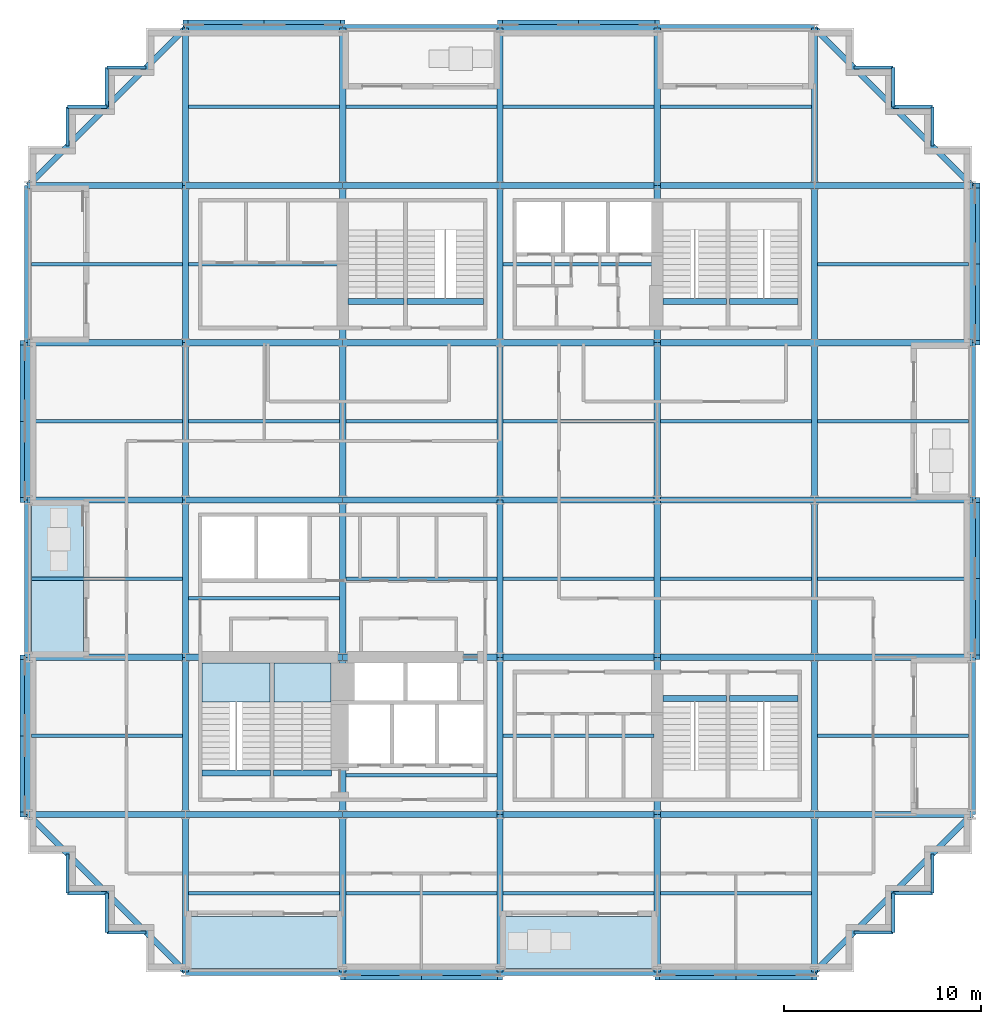
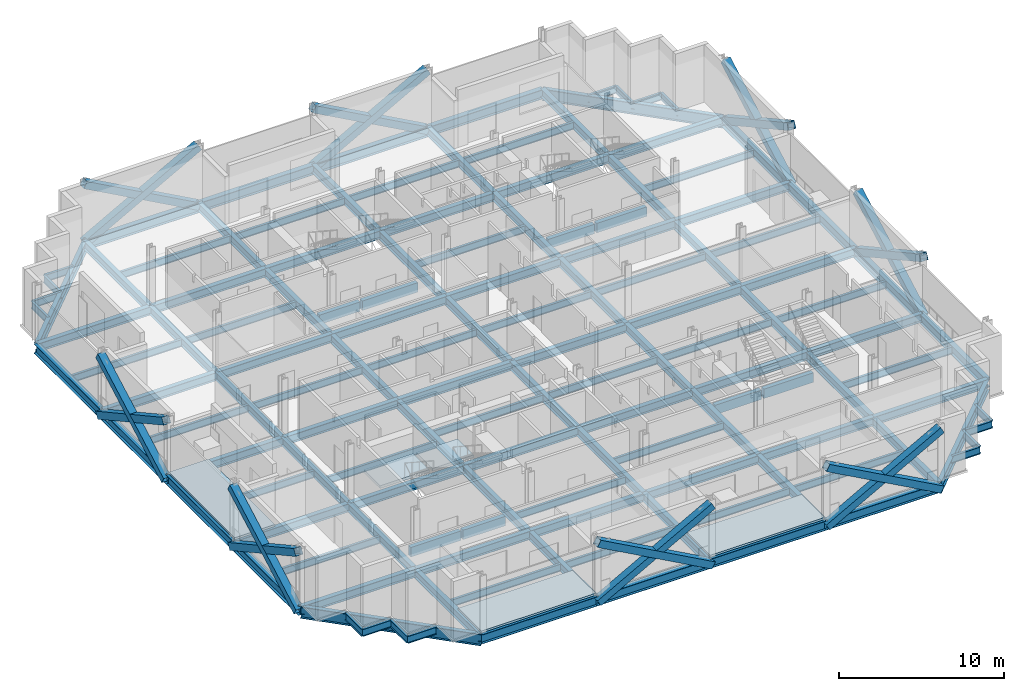
# One storey, part 3 of 14: 132 beams, 16 members, 5 slabs, 2 elements without a shape of their own.
"""IFC4 building model written with IfcOpenShell, lengths in metres."""

from ifc_helpers import new_model, si_unit, direction, frame, origin, origin_2d, place, context, subcontext, project, spatial, polyline, rectangle, hollow_rectangle, i_section, outline, extrude, material, layer, layer_set, material_profile, profile_set, type_object, element, aggregate, save


model = new_model("IFC4")

# Units and contexts
model_context = context("Model", 3, precision=1e-05, world=origin(), true_north=direction((0.0, 1.0)))
body_context = subcontext(model_context, "Body", "Model", "MODEL_VIEW")
ifc_project = project(units=[si_unit("LENGTHUNIT", "METRE"), si_unit("AREAUNIT", "SQUARE_METRE"), si_unit("VOLUMEUNIT", "CUBIC_METRE"), si_unit("PLANEANGLEUNIT", "RADIAN"), si_unit("MASSUNIT", "GRAM", prefix="KILO")], contexts=[model_context])

# Site, building, storey
site_placement = place(None, origin())
site = spatial("IfcSite", under=ifc_project, at=site_placement, CompositionType="ELEMENT")
building_placement = place(site_placement, origin())
building = spatial("IfcBuilding", under=site, at=building_placement, Name="Immortelle Media Tower", CompositionType="ELEMENT")
storey_placement = place(building_placement, frame((0.0, 0.0, 48.0)))
storey = spatial("IfcBuildingStorey", under=building, at=storey_placement, Name="L07", CompositionType="ELEMENT", Elevation=48.0)

# Members
ifc_material_1 = material(Name="Steel ASTM A500 Gr C", Category="steel")
ifc_material_profile_1 = material_profile(ifc_material_1, hollow_rectangle(XDim=0.508056640625, YDim=0.508056640625, WallThickness=0.011962890625, at=origin_2d()), Name="HSS20x20x1/2 brace")
ifc_profile_set_1 = profile_set([ifc_material_profile_1], Name="Steel ASTM A500 Gr C")
member_type = type_object("IfcMemberType", Name="HSS20x20x1/2 brace", PredefinedType="BRACE", material=ifc_profile_set_1)
for number, where, z_axis, x_axis, name in (
    (1, (-0.1640625, 32.0, -0.498046875), (0.0, -0.876209133828, 0.481931067474), (1.0, 0.0, 0.0), "Brace 1/D-E A"),
    (2, (-0.1640625, 32.0, 3.902099609375), (0.0, -0.876209133828, -0.481931067474), (1.0, 0.0, 0.0), "Brace 1/D-E B"),
    (3, (-0.1640625, 16.0, -0.498046875), (0.0, -0.876209133828, 0.481931067474), (1.0, 0.0, 0.0), "Brace 1/B-C A"),
    (4, (-0.1640625, 16.0, 3.902099609375), (0.0, -0.876209133828, -0.481931067474), (1.0, 0.0, 0.0), "Brace 1/B-C B"),
    (5, (16.0, -0.1640625, -0.498046875), (0.876209133828, 0.0, 0.481931067474), (0.0, 1.0, 0.0), "Brace A/3-4 A"),
    (6, (16.0, -0.1640625, 3.902099609375), (0.876209133828, 0.0, -0.481931067474), (0.0, 1.0, 0.0), "Brace A/3-4 B"),
    (7, (32.0, -0.1640625, -0.498046875), (0.876209133828, 0.0, 0.481931067474), (0.0, 1.0, 0.0), "Brace A/5-6 A"),
    (8, (32.0, -0.1640625, 3.902099609375), (0.876209133828, 0.0, -0.481931067474), (0.0, 1.0, 0.0), "Brace A/5-6 B"),
    (9, (48.1640625, 16.0, -0.498046875), (0.0, 0.876209133828, 0.481931067474), (-1.0, 0.0, 0.0), "Brace 7/C-D A"),
    (10, (48.1640625, 16.0, 3.902099609375), (0.0, 0.876209133828, -0.481931067474), (-1.0, 0.0, 0.0), "Brace 7/C-D B"),
    (11, (48.1640625, 32.0, -0.498046875), (0.0, 0.876209133828, 0.481931067474), (-1.0, 0.0, 0.0), "Brace 7/E-F A"),
    (12, (48.1640625, 32.0, 3.902099609375), (0.0, 0.876209133828, -0.481931067474), (-1.0, 0.0, 0.0), "Brace 7/E-F B"),
    (13, (32.0, 48.1640625, -0.498046875), (-0.876209133828, 0.0, 0.481931067474), (0.0, -1.0, 0.0), "Brace G/4-5 A"),
    (14, (32.0, 48.1640625, 3.902099609375), (-0.876209133828, 0.0, -0.481931067474), (0.0, -1.0, 0.0), "Brace G/4-5 B"),
    (15, (16.0, 48.1640625, -0.498046875), (-0.876209133828, 0.0, 0.481931067474), (0.0, -1.0, 0.0), "Brace G/2-3 A"),
    (16, (16.0, 48.1640625, 3.902099609375), (-0.876209133828, 0.0, -0.481931067474), (0.0, -1.0, 0.0), "Brace G/2-3 B"),
):
    element("IfcMember", number, at=place(storey_placement, frame(where, z_axis=z_axis, x_axis=x_axis)), inside=storey, type_object=member_type, Name=name, PredefinedType="BRACE", context=body_context, shape_type="SweptSolid", body=[
        extrude(hollow_rectangle(XDim=0.508056640625, YDim=0.508056640625, WallThickness=0.011962890625, at=origin_2d()), origin(), (0.0, 0.0, 1.0), 9.130126953125),
    ])

# Beams
ifc_material_2 = material(Name="Concrete C50/60", Category="concrete")
ifc_material_profile_2 = material_profile(ifc_material_2, rectangle(XDim=0.300048828125, YDim=0.699951171875, at=origin_2d()), Name="RC 300x700")
ifc_profile_set_2 = profile_set([ifc_material_profile_2], Name="Concrete C50/60")
beam_type_1 = type_object("IfcBeamType", Name="Stair trimmer beam 300 x 700", PredefinedType="BEAM", material=ifc_profile_set_2)
beam_1_placement = place(storey_placement, frame((8.830078125, 10.10498046875, -0.5), z_axis=(1.0, 0.0, 0.0), x_axis=(0.0, 1.0, 0.0)))
element("IfcBeam", 17, at=beam_1_placement, inside=storey, type_object=beam_type_1, Name="Stair trimmer beam SW1", PredefinedType="BEAM", context=body_context, shape_type="SweptSolid", body=[
    extrude(rectangle(XDim=0.300048828125, YDim=0.699951171875, at=origin_2d()), origin(), (0.0, 0.0, 1.0), 3.489990234375),
])
beam_2_placement = place(storey_placement, frame((12.47998046875, 10.10498046875, -0.5), z_axis=(1.0, 0.0, 0.0), x_axis=(0.0, 1.0, 0.0)))
element("IfcBeam", 18, at=beam_2_placement, inside=storey, type_object=beam_type_1, Name="Stair trimmer beam SW2", PredefinedType="BEAM", context=body_context, shape_type="SweptSolid", body=[
    extrude(rectangle(XDim=0.300048828125, YDim=0.699951171875, at=origin_2d()), origin(), (0.0, 0.0, 1.0), 2.93994140625),
])
beam_3_placement = place(storey_placement, frame((32.280029296875, 13.89501953125, -0.5), z_axis=(1.0, 0.0, 0.0), x_axis=(0.0, 1.0, 0.0)))
element("IfcBeam", 19, at=beam_3_placement, inside=storey, type_object=beam_type_1, Name="Stair trimmer beam SE1", PredefinedType="BEAM", context=body_context, shape_type="SweptSolid", body=[
    extrude(rectangle(XDim=0.300048828125, YDim=0.699951171875, at=origin_2d()), origin(), (0.0, 0.0, 1.0), 3.239990234375),
])
beam_4_placement = place(storey_placement, frame((35.679931640625, 13.89501953125, -0.5), z_axis=(1.0, 0.0, 0.0), x_axis=(0.0, 1.0, 0.0)))
element("IfcBeam", 20, at=beam_4_placement, inside=storey, type_object=beam_type_1, Name="Stair trimmer beam SE2", PredefinedType="BEAM", context=body_context, shape_type="SweptSolid", body=[
    extrude(rectangle(XDim=0.300048828125, YDim=0.699951171875, at=origin_2d()), origin(), (0.0, 0.0, 1.0), 3.489990234375),
])
beam_5_placement = place(storey_placement, frame((16.280029296875, 34.10498046875, -0.5), z_axis=(1.0, 0.0, 0.0), x_axis=(0.0, 1.0, 0.0)))
element("IfcBeam", 21, at=beam_5_placement, inside=storey, type_object=beam_type_1, Name="Stair trimmer beam NW1", PredefinedType="BEAM", context=body_context, shape_type="SweptSolid", body=[
    extrude(rectangle(XDim=0.300048828125, YDim=0.699951171875, at=origin_2d()), origin(), (0.0, 0.0, 1.0), 2.840087890625),
])
beam_6_placement = place(storey_placement, frame((19.280029296875, 34.10498046875, -0.5), z_axis=(1.0, 0.0, 0.0), x_axis=(0.0, 1.0, 0.0)))
element("IfcBeam", 22, at=beam_6_placement, inside=storey, type_object=beam_type_1, Name="Stair trimmer beam NW2", PredefinedType="BEAM", context=body_context, shape_type="SweptSolid", body=[
    extrude(rectangle(XDim=0.300048828125, YDim=0.699951171875, at=origin_2d()), origin(), (0.0, 0.0, 1.0), 3.889892578125),
])
beam_7_placement = place(storey_placement, frame((32.280029296875, 34.10498046875, -0.5), z_axis=(1.0, 0.0, 0.0), x_axis=(0.0, 1.0, 0.0)))
element("IfcBeam", 23, at=beam_7_placement, inside=storey, type_object=beam_type_1, Name="Stair trimmer beam NE1", PredefinedType="BEAM", context=body_context, shape_type="SweptSolid", body=[
    extrude(rectangle(XDim=0.300048828125, YDim=0.699951171875, at=origin_2d()), origin(), (0.0, 0.0, 1.0), 3.239990234375),
])
beam_8_placement = place(storey_placement, frame((35.679931640625, 34.10498046875, -0.5), z_axis=(1.0, 0.0, 0.0), x_axis=(0.0, 1.0, 0.0)))
element("IfcBeam", 24, at=beam_8_placement, inside=storey, type_object=beam_type_1, Name="Stair trimmer beam NE2", PredefinedType="BEAM", context=body_context, shape_type="SweptSolid", body=[
    extrude(rectangle(XDim=0.300048828125, YDim=0.699951171875, at=origin_2d()), origin(), (0.0, 0.0, 1.0), 3.489990234375),
])
ifc_material_3 = material(Name="Steel ASTM A992 Gr 50", Category="steel")
ifc_material_profile_3 = material_profile(ifc_material_3, i_section(OverallWidth=0.1669921875, OverallDepth=0.535888671875, WebThickness=0.010009765625, FlangeThickness=0.01708984375, at=origin_2d()), Name="W21x57")
ifc_profile_set_3 = profile_set([ifc_material_profile_3], Name="Steel ASTM A992 Gr 50")
beam_type_2 = type_object("IfcBeamType", Name="W21x57 secondary beam", PredefinedType="JOIST", material=ifc_profile_set_3)
for number, where, z_axis, x_axis, name in (
    (25, (8.162109375, 4.0, -0.41796875), (1.0, 0.0, 0.0), (0.0, 1.0, 0.0), "Beam A-B/2-3"),
    (26, (16.162109375, 4.0, -0.41796875), (1.0, 0.0, 0.0), (0.0, 1.0, 0.0), "Beam A-B/3-4"),
    (27, (24.162109375, 4.0, -0.41796875), (1.0, 0.0, 0.0), (0.0, 1.0, 0.0), "Beam A-B/4-5"),
    (28, (32.162109375, 4.0, -0.41796875), (1.0, 0.0, 0.0), (0.0, 1.0, 0.0), "Beam A-B/5-6"),
):
    element("IfcBeam", number, at=place(storey_placement, frame(where, z_axis=z_axis, x_axis=x_axis)), inside=storey, type_object=beam_type_2, Name=name, PredefinedType="JOIST", context=body_context, shape_type="SweptSolid", body=[
        extrude(i_section(OverallWidth=0.1669921875, OverallDepth=0.535888671875, WebThickness=0.010009765625, FlangeThickness=0.01708984375, at=origin_2d()), origin(), (0.0, 0.0, 1.0), 7.67578125),
    ])
beam_9_placement = place(storey_placement, frame((0.177978515625, 12.0, -0.41796875), z_axis=(1.0, 0.0, 0.0), x_axis=(0.0, 1.0, 0.0)))
element("IfcBeam", 29, at=beam_9_placement, inside=storey, type_object=beam_type_2, Name="Beam B-C/1-2", PredefinedType="JOIST", context=body_context, shape_type="SweptSolid", body=[
    extrude(i_section(OverallWidth=0.1669921875, OverallDepth=0.535888671875, WebThickness=0.010009765625, FlangeThickness=0.01708984375, at=origin_2d()), origin(), (0.0, 0.0, 1.0), 7.659912109375),
])
for number, where, z_axis, x_axis, name in (
    (30, (16.162109375, 10.0, -0.41796875), (1.0, 0.0, 0.0), (0.0, 1.0, 0.0), "Beam B-C/3-4"),
    (31, (24.162109375, 12.0, -0.41796875), (1.0, 0.0, 0.0), (0.0, 1.0, 0.0), "Beam B-C/4-5"),
):
    element("IfcBeam", number, at=place(storey_placement, frame(where, z_axis=z_axis, x_axis=x_axis)), inside=storey, type_object=beam_type_2, Name=name, PredefinedType="JOIST", context=body_context, shape_type="SweptSolid", body=[
        extrude(i_section(OverallWidth=0.1669921875, OverallDepth=0.535888671875, WebThickness=0.010009765625, FlangeThickness=0.01708984375, at=origin_2d()), origin(), (0.0, 0.0, 1.0), 7.67578125),
    ])
for number, where, z_axis, x_axis, name in (
    (32, (40.162109375, 12.0, -0.41796875), (1.0, 0.0, 0.0), (0.0, 1.0, 0.0), "Beam B-C/6-7"),
    (33, (0.177978515625, 20.0, -0.41796875), (1.0, 0.0, 0.0), (0.0, 1.0, 0.0), "Beam C-D/1-2"),
):
    element("IfcBeam", number, at=place(storey_placement, frame(where, z_axis=z_axis, x_axis=x_axis)), inside=storey, type_object=beam_type_2, Name=name, PredefinedType="JOIST", context=body_context, shape_type="SweptSolid", body=[
        extrude(i_section(OverallWidth=0.1669921875, OverallDepth=0.535888671875, WebThickness=0.010009765625, FlangeThickness=0.01708984375, at=origin_2d()), origin(), (0.0, 0.0, 1.0), 7.659912109375),
    ])
for number, where, z_axis, x_axis, name in (
    (34, (8.162109375, 19.0, -0.41796875), (1.0, 0.0, 0.0), (0.0, 1.0, 0.0), "Beam C-D/2-3"),
    (35, (16.162109375, 20.0, -0.41796875), (1.0, 0.0, 0.0), (0.0, 1.0, 0.0), "Beam C-D/3-4"),
    (36, (24.162109375, 20.0, -0.41796875), (1.0, 0.0, 0.0), (0.0, 1.0, 0.0), "Beam C-D/4-5"),
    (37, (32.162109375, 20.0, -0.41796875), (1.0, 0.0, 0.0), (0.0, 1.0, 0.0), "Beam C-D/5-6"),
):
    element("IfcBeam", number, at=place(storey_placement, frame(where, z_axis=z_axis, x_axis=x_axis)), inside=storey, type_object=beam_type_2, Name=name, PredefinedType="JOIST", context=body_context, shape_type="SweptSolid", body=[
        extrude(i_section(OverallWidth=0.1669921875, OverallDepth=0.535888671875, WebThickness=0.010009765625, FlangeThickness=0.01708984375, at=origin_2d()), origin(), (0.0, 0.0, 1.0), 7.67578125),
    ])
for number, where, z_axis, x_axis, name in (
    (38, (40.162109375, 20.0, -0.41796875), (1.0, 0.0, 0.0), (0.0, 1.0, 0.0), "Beam C-D/6-7"),
    (39, (0.177978515625, 28.0, -0.41796875), (1.0, 0.0, 0.0), (0.0, 1.0, 0.0), "Beam D-E/1-2"),
):
    element("IfcBeam", number, at=place(storey_placement, frame(where, z_axis=z_axis, x_axis=x_axis)), inside=storey, type_object=beam_type_2, Name=name, PredefinedType="JOIST", context=body_context, shape_type="SweptSolid", body=[
        extrude(i_section(OverallWidth=0.1669921875, OverallDepth=0.535888671875, WebThickness=0.010009765625, FlangeThickness=0.01708984375, at=origin_2d()), origin(), (0.0, 0.0, 1.0), 7.659912109375),
    ])
for number, where, z_axis, x_axis, name in (
    (40, (8.162109375, 28.0, -0.41796875), (1.0, 0.0, 0.0), (0.0, 1.0, 0.0), "Beam D-E/2-3"),
    (41, (16.162109375, 28.0, -0.41796875), (1.0, 0.0, 0.0), (0.0, 1.0, 0.0), "Beam D-E/3-4"),
    (42, (24.162109375, 28.0, -0.41796875), (1.0, 0.0, 0.0), (0.0, 1.0, 0.0), "Beam D-E/4-5"),
    (43, (32.162109375, 28.0, -0.41796875), (1.0, 0.0, 0.0), (0.0, 1.0, 0.0), "Beam D-E/5-6"),
):
    element("IfcBeam", number, at=place(storey_placement, frame(where, z_axis=z_axis, x_axis=x_axis)), inside=storey, type_object=beam_type_2, Name=name, PredefinedType="JOIST", context=body_context, shape_type="SweptSolid", body=[
        extrude(i_section(OverallWidth=0.1669921875, OverallDepth=0.535888671875, WebThickness=0.010009765625, FlangeThickness=0.01708984375, at=origin_2d()), origin(), (0.0, 0.0, 1.0), 7.67578125),
    ])
for number, where, z_axis, x_axis, name in (
    (44, (40.162109375, 28.0, -0.41796875), (1.0, 0.0, 0.0), (0.0, 1.0, 0.0), "Beam D-E/6-7"),
    (45, (0.177978515625, 36.0, -0.41796875), (1.0, 0.0, 0.0), (0.0, 1.0, 0.0), "Beam E-F/1-2"),
):
    element("IfcBeam", number, at=place(storey_placement, frame(where, z_axis=z_axis, x_axis=x_axis)), inside=storey, type_object=beam_type_2, Name=name, PredefinedType="JOIST", context=body_context, shape_type="SweptSolid", body=[
        extrude(i_section(OverallWidth=0.1669921875, OverallDepth=0.535888671875, WebThickness=0.010009765625, FlangeThickness=0.01708984375, at=origin_2d()), origin(), (0.0, 0.0, 1.0), 7.659912109375),
    ])
for number, where, z_axis, x_axis, name in (
    (46, (8.162109375, 36.0, -0.41796875), (1.0, 0.0, 0.0), (0.0, 1.0, 0.0), "Beam E-F/2-3"),
    (47, (24.162109375, 36.0, -0.41796875), (1.0, 0.0, 0.0), (0.0, 1.0, 0.0), "Beam E-F/4-5"),
):
    element("IfcBeam", number, at=place(storey_placement, frame(where, z_axis=z_axis, x_axis=x_axis)), inside=storey, type_object=beam_type_2, Name=name, PredefinedType="JOIST", context=body_context, shape_type="SweptSolid", body=[
        extrude(i_section(OverallWidth=0.1669921875, OverallDepth=0.535888671875, WebThickness=0.010009765625, FlangeThickness=0.01708984375, at=origin_2d()), origin(), (0.0, 0.0, 1.0), 7.67578125),
    ])
beam_10_placement = place(storey_placement, frame((40.162109375, 36.0, -0.41796875), z_axis=(1.0, 0.0, 0.0), x_axis=(0.0, 1.0, 0.0)))
element("IfcBeam", 48, at=beam_10_placement, inside=storey, type_object=beam_type_2, Name="Beam E-F/6-7", PredefinedType="JOIST", context=body_context, shape_type="SweptSolid", body=[
    extrude(i_section(OverallWidth=0.1669921875, OverallDepth=0.535888671875, WebThickness=0.010009765625, FlangeThickness=0.01708984375, at=origin_2d()), origin(), (0.0, 0.0, 1.0), 7.659912109375),
])
for number, where, z_axis, x_axis, name in (
    (49, (8.162109375, 44.0, -0.41796875), (1.0, 0.0, 0.0), (0.0, 1.0, 0.0), "Beam F-G/2-3"),
    (50, (16.162109375, 44.0, -0.41796875), (1.0, 0.0, 0.0), (0.0, 1.0, 0.0), "Beam F-G/3-4"),
    (51, (24.162109375, 44.0, -0.41796875), (1.0, 0.0, 0.0), (0.0, 1.0, 0.0), "Beam F-G/4-5"),
    (52, (32.162109375, 44.0, -0.41796875), (1.0, 0.0, 0.0), (0.0, 1.0, 0.0), "Beam F-G/5-6"),
):
    element("IfcBeam", number, at=place(storey_placement, frame(where, z_axis=z_axis, x_axis=x_axis)), inside=storey, type_object=beam_type_2, Name=name, PredefinedType="JOIST", context=body_context, shape_type="SweptSolid", body=[
        extrude(i_section(OverallWidth=0.1669921875, OverallDepth=0.535888671875, WebThickness=0.010009765625, FlangeThickness=0.01708984375, at=origin_2d()), origin(), (0.0, 0.0, 1.0), 7.67578125),
    ])
ifc_material_profile_4 = material_profile(ifc_material_3, i_section(OverallWidth=0.1669921875, OverallDepth=0.535888671875, WebThickness=0.010009765625, FlangeThickness=0.01708984375, at=origin_2d()), Name="W21x57")
ifc_profile_set_4 = profile_set([ifc_material_profile_4], Name="Steel ASTM A992 Gr 50")
beam_type_3 = type_object("IfcBeamType", Name="W21x57 serration edge beam", PredefinedType="SPANDREL", material=ifc_profile_set_4)
for number, where, z_axis, x_axis, name in (
    (53, (6.0, 2.0, -0.41796875), (-1.0, 0.0, 0.0), (0.0, -1.0, 0.0), "Corner edge beam 1 at 1/A"),
    (54, (4.0, 2.0, -0.41796875), (0.0, 1.0, 0.0), (-1.0, 0.0, 0.0), "Corner edge beam 2 at 1/A"),
    (55, (4.0, 4.0, -0.41796875), (-1.0, 0.0, 0.0), (0.0, -1.0, 0.0), "Corner edge beam 3 at 1/A"),
    (56, (2.0, 4.0, -0.41796875), (0.0, 1.0, 0.0), (-1.0, 0.0, 0.0), "Corner edge beam 4 at 1/A"),
    (57, (2.0, 42.0, -0.41796875), (0.0, 1.0, 0.0), (-1.0, 0.0, 0.0), "Corner edge beam 1 at 1/G"),
    (58, (2.0, 44.0, -0.41796875), (1.0, 0.0, 0.0), (0.0, 1.0, 0.0), "Corner edge beam 2 at 1/G"),
    (59, (4.0, 44.0, -0.41796875), (0.0, 1.0, 0.0), (-1.0, 0.0, 0.0), "Corner edge beam 3 at 1/G"),
    (60, (4.0, 46.0, -0.41796875), (1.0, 0.0, 0.0), (0.0, 1.0, 0.0), "Corner edge beam 4 at 1/G"),
    (61, (46.0, 6.0, -0.41796875), (0.0, -1.0, 0.0), (1.0, 0.0, 0.0), "Corner edge beam 1 at 7/A"),
    (62, (46.0, 4.0, -0.41796875), (-1.0, 0.0, 0.0), (0.0, -1.0, 0.0), "Corner edge beam 2 at 7/A"),
    (63, (44.0, 4.0, -0.41796875), (0.0, -1.0, 0.0), (1.0, 0.0, 0.0), "Corner edge beam 3 at 7/A"),
    (64, (44.0, 2.0, -0.41796875), (-1.0, 0.0, 0.0), (0.0, -1.0, 0.0), "Corner edge beam 4 at 7/A"),
    (65, (42.0, 46.0, -0.41796875), (1.0, 0.0, 0.0), (0.0, 1.0, 0.0), "Corner edge beam 1 at 7/G"),
    (66, (44.0, 46.0, -0.41796875), (0.0, -1.0, 0.0), (1.0, 0.0, 0.0), "Corner edge beam 2 at 7/G"),
    (67, (44.0, 44.0, -0.41796875), (1.0, 0.0, 0.0), (0.0, 1.0, 0.0), "Corner edge beam 3 at 7/G"),
    (68, (46.0, 44.0, -0.41796875), (0.0, -1.0, 0.0), (1.0, 0.0, 0.0), "Corner edge beam 4 at 7/G"),
):
    element("IfcBeam", number, at=place(storey_placement, frame(where, z_axis=z_axis, x_axis=x_axis)), inside=storey, type_object=beam_type_3, Name=name, PredefinedType="SPANDREL", context=body_context, shape_type="SweptSolid", body=[
        extrude(i_section(OverallWidth=0.1669921875, OverallDepth=0.535888671875, WebThickness=0.010009765625, FlangeThickness=0.01708984375, at=origin_2d()), origin(), (0.0, 0.0, 1.0), 2.0),
    ])
ifc_material_profile_5 = material_profile(ifc_material_3, i_section(OverallWidth=0.323974609375, OverallDepth=0.612060546875, WebThickness=0.012939453125, FlangeThickness=0.01904296875, at=origin_2d()), Name="W24x104")
ifc_profile_set_5 = profile_set([ifc_material_profile_5], Name="Steel ASTM A992 Gr 50")
beam_type_4 = type_object("IfcBeamType", Name="W24x104 girder", PredefinedType="BEAM", material=ifc_profile_set_5)
for number, where, z_axis, x_axis, name in (
    (69, (0.0, 8.0, -0.4560546875), (1.0, 0.0, 0.0), (0.0, 1.0, 0.0), "Girder B/1-2"),
    (70, (0.0, 16.0, -0.4560546875), (1.0, 0.0, 0.0), (0.0, 1.0, 0.0), "Girder C/1-2"),
    (71, (0.0, 24.0, -0.4560546875), (1.0, 0.0, 0.0), (0.0, 1.0, 0.0), "Girder D/1-2"),
    (72, (0.0, 32.0, -0.4560546875), (1.0, 0.0, 0.0), (0.0, 1.0, 0.0), "Girder E/1-2"),
    (73, (0.0, 40.0, -0.4560546875), (1.0, 0.0, 0.0), (0.0, 1.0, 0.0), "Girder F/1-2"),
    (74, (8.0, 0.0, -0.4560546875), (0.0, 1.0, 0.0), (-1.0, 0.0, 0.0), "Girder 2/A-B"),
    (75, (8.0, 8.0, -0.4560546875), (1.0, 0.0, 0.0), (0.0, 1.0, 0.0), "Girder B/2-3"),
    (76, (8.0, 8.0, -0.4560546875), (0.0, 1.0, 0.0), (-1.0, 0.0, 0.0), "Girder 2/B-C"),
    (77, (8.0, 16.0, -0.4560546875), (1.0, 0.0, 0.0), (0.0, 1.0, 0.0), "Girder C/2-3"),
    (78, (8.0, 16.0, -0.4560546875), (0.0, 1.0, 0.0), (-1.0, 0.0, 0.0), "Girder 2/C-D"),
    (79, (8.0, 24.0, -0.4560546875), (1.0, 0.0, 0.0), (0.0, 1.0, 0.0), "Girder D/2-3"),
    (80, (8.0, 24.0, -0.4560546875), (0.0, 1.0, 0.0), (-1.0, 0.0, 0.0), "Girder 2/D-E"),
    (81, (8.0, 32.0, -0.4560546875), (1.0, 0.0, 0.0), (0.0, 1.0, 0.0), "Girder E/2-3"),
    (82, (8.0, 32.0, -0.4560546875), (0.0, 1.0, 0.0), (-1.0, 0.0, 0.0), "Girder 2/E-F"),
    (83, (8.0, 40.0, -0.4560546875), (1.0, 0.0, 0.0), (0.0, 1.0, 0.0), "Girder F/2-3"),
    (84, (8.0, 40.0, -0.4560546875), (0.0, 1.0, 0.0), (-1.0, 0.0, 0.0), "Girder 2/F-G"),
    (85, (16.0, 0.0, -0.4560546875), (0.0, 1.0, 0.0), (-1.0, 0.0, 0.0), "Girder 3/A-B"),
    (86, (16.0, 8.0, -0.4560546875), (1.0, 0.0, 0.0), (0.0, 1.0, 0.0), "Girder B/3-4"),
    (87, (16.0, 8.0, -0.4560546875), (0.0, 1.0, 0.0), (-1.0, 0.0, 0.0), "Girder 3/B-C"),
    (88, (16.0, 16.0, -0.4560546875), (1.0, 0.0, 0.0), (0.0, 1.0, 0.0), "Girder C/3-4"),
    (89, (16.0, 16.0, -0.4560546875), (0.0, 1.0, 0.0), (-1.0, 0.0, 0.0), "Girder 3/C-D"),
    (90, (16.0, 24.0, -0.4560546875), (1.0, 0.0, 0.0), (0.0, 1.0, 0.0), "Girder D/3-4"),
    (91, (16.0, 24.0, -0.4560546875), (0.0, 1.0, 0.0), (-1.0, 0.0, 0.0), "Girder 3/D-E"),
    (92, (16.0, 32.0, -0.4560546875), (1.0, 0.0, 0.0), (0.0, 1.0, 0.0), "Girder E/3-4"),
    (93, (16.0, 32.0, -0.4560546875), (0.0, 1.0, 0.0), (-1.0, 0.0, 0.0), "Girder 3/E-F"),
    (94, (16.0, 40.0, -0.4560546875), (1.0, 0.0, 0.0), (0.0, 1.0, 0.0), "Girder F/3-4"),
    (95, (16.0, 40.0, -0.4560546875), (0.0, 1.0, 0.0), (-1.0, 0.0, 0.0), "Girder 3/F-G"),
    (96, (24.0, 0.0, -0.4560546875), (0.0, 1.0, 0.0), (-1.0, 0.0, 0.0), "Girder 4/A-B"),
    (97, (24.0, 8.0, -0.4560546875), (1.0, 0.0, 0.0), (0.0, 1.0, 0.0), "Girder B/4-5"),
    (98, (24.0, 8.0, -0.4560546875), (0.0, 1.0, 0.0), (-1.0, 0.0, 0.0), "Girder 4/B-C"),
    (99, (24.0, 16.0, -0.4560546875), (1.0, 0.0, 0.0), (0.0, 1.0, 0.0), "Girder C/4-5"),
    (100, (24.0, 16.0, -0.4560546875), (0.0, 1.0, 0.0), (-1.0, 0.0, 0.0), "Girder 4/C-D"),
    (101, (24.0, 24.0, -0.4560546875), (1.0, 0.0, 0.0), (0.0, 1.0, 0.0), "Girder D/4-5"),
    (102, (24.0, 24.0, -0.4560546875), (0.0, 1.0, 0.0), (-1.0, 0.0, 0.0), "Girder 4/D-E"),
    (103, (24.0, 32.0, -0.4560546875), (1.0, 0.0, 0.0), (0.0, 1.0, 0.0), "Girder E/4-5"),
    (104, (24.0, 32.0, -0.4560546875), (0.0, 1.0, 0.0), (-1.0, 0.0, 0.0), "Girder 4/E-F"),
    (105, (24.0, 40.0, -0.4560546875), (1.0, 0.0, 0.0), (0.0, 1.0, 0.0), "Girder F/4-5"),
    (106, (24.0, 40.0, -0.4560546875), (0.0, 1.0, 0.0), (-1.0, 0.0, 0.0), "Girder 4/F-G"),
    (107, (32.0, 0.0, -0.4560546875), (0.0, 1.0, 0.0), (-1.0, 0.0, 0.0), "Girder 5/A-B"),
    (108, (32.0, 8.0, -0.4560546875), (1.0, 0.0, 0.0), (0.0, 1.0, 0.0), "Girder B/5-6"),
    (109, (32.0, 8.0, -0.4560546875), (0.0, 1.0, 0.0), (-1.0, 0.0, 0.0), "Girder 5/B-C"),
    (110, (32.0, 16.0, -0.4560546875), (1.0, 0.0, 0.0), (0.0, 1.0, 0.0), "Girder C/5-6"),
    (111, (32.0, 16.0, -0.4560546875), (0.0, 1.0, 0.0), (-1.0, 0.0, 0.0), "Girder 5/C-D"),
    (112, (32.0, 24.0, -0.4560546875), (1.0, 0.0, 0.0), (0.0, 1.0, 0.0), "Girder D/5-6"),
    (113, (32.0, 24.0, -0.4560546875), (0.0, 1.0, 0.0), (-1.0, 0.0, 0.0), "Girder 5/D-E"),
    (114, (32.0, 32.0, -0.4560546875), (1.0, 0.0, 0.0), (0.0, 1.0, 0.0), "Girder E/5-6"),
    (115, (32.0, 32.0, -0.4560546875), (0.0, 1.0, 0.0), (-1.0, 0.0, 0.0), "Girder 5/E-F"),
    (116, (32.0, 40.0, -0.4560546875), (1.0, 0.0, 0.0), (0.0, 1.0, 0.0), "Girder F/5-6"),
    (117, (32.0, 40.0, -0.4560546875), (0.0, 1.0, 0.0), (-1.0, 0.0, 0.0), "Girder 5/F-G"),
    (118, (40.0, 0.0, -0.4560546875), (0.0, 1.0, 0.0), (-1.0, 0.0, 0.0), "Girder 6/A-B"),
    (119, (40.0, 8.0, -0.4560546875), (1.0, 0.0, 0.0), (0.0, 1.0, 0.0), "Girder B/6-7"),
    (120, (40.0, 8.0, -0.4560546875), (0.0, 1.0, 0.0), (-1.0, 0.0, 0.0), "Girder 6/B-C"),
    (121, (40.0, 16.0, -0.4560546875), (1.0, 0.0, 0.0), (0.0, 1.0, 0.0), "Girder C/6-7"),
    (122, (40.0, 16.0, -0.4560546875), (0.0, 1.0, 0.0), (-1.0, 0.0, 0.0), "Girder 6/C-D"),
    (123, (40.0, 24.0, -0.4560546875), (1.0, 0.0, 0.0), (0.0, 1.0, 0.0), "Girder D/6-7"),
    (124, (40.0, 24.0, -0.4560546875), (0.0, 1.0, 0.0), (-1.0, 0.0, 0.0), "Girder 6/D-E"),
    (125, (40.0, 32.0, -0.4560546875), (1.0, 0.0, 0.0), (0.0, 1.0, 0.0), "Girder E/6-7"),
    (126, (40.0, 32.0, -0.4560546875), (0.0, 1.0, 0.0), (-1.0, 0.0, 0.0), "Girder 6/E-F"),
    (127, (40.0, 40.0, -0.4560546875), (1.0, 0.0, 0.0), (0.0, 1.0, 0.0), "Girder F/6-7"),
    (128, (40.0, 40.0, -0.4560546875), (0.0, 1.0, 0.0), (-1.0, 0.0, 0.0), "Girder 6/F-G"),
):
    element("IfcBeam", number, at=place(storey_placement, frame(where, z_axis=z_axis, x_axis=x_axis)), inside=storey, type_object=beam_type_4, Name=name, PredefinedType="BEAM", context=body_context, shape_type="SweptSolid", body=[
        extrude(i_section(OverallWidth=0.323974609375, OverallDepth=0.612060546875, WebThickness=0.012939453125, FlangeThickness=0.01904296875, at=origin_2d()), origin(), (0.0, 0.0, 1.0), 8.0),
    ])
ifc_material_profile_6 = material_profile(ifc_material_3, i_section(OverallWidth=0.35595703125, OverallDepth=0.696044921875, WebThickness=0.014892578125, FlangeThickness=0.02490234375, at=origin_2d()), Name="W27x146")
ifc_profile_set_6 = profile_set([ifc_material_profile_6], Name="Steel ASTM A992 Gr 50")
beam_type_5 = type_object("IfcBeamType", Name="W27x146 perimeter girder", PredefinedType="SPANDREL", material=ifc_profile_set_6)
for number, where, z_axis, x_axis, name in (
    (129, (0.0, 8.0, -0.498046875), (0.0, 1.0, 0.0), (-1.0, 0.0, 0.0), "Girder 1/B-C"),
    (130, (0.0, 16.0, -0.498046875), (0.0, 1.0, 0.0), (-1.0, 0.0, 0.0), "Girder 1/C-D"),
    (131, (0.0, 24.0, -0.498046875), (0.0, 1.0, 0.0), (-1.0, 0.0, 0.0), "Girder 1/D-E"),
    (132, (0.0, 32.0, -0.498046875), (0.0, 1.0, 0.0), (-1.0, 0.0, 0.0), "Girder 1/E-F"),
    (133, (8.0, 0.0, -0.498046875), (1.0, 0.0, 0.0), (0.0, 1.0, 0.0), "Girder A/2-3"),
    (134, (8.0, 48.0, -0.498046875), (1.0, 0.0, 0.0), (0.0, 1.0, 0.0), "Girder G/2-3"),
    (135, (16.0, 0.0, -0.498046875), (1.0, 0.0, 0.0), (0.0, 1.0, 0.0), "Girder A/3-4"),
    (136, (16.0, 48.0, -0.498046875), (1.0, 0.0, 0.0), (0.0, 1.0, 0.0), "Girder G/3-4"),
    (137, (24.0, 0.0, -0.498046875), (1.0, 0.0, 0.0), (0.0, 1.0, 0.0), "Girder A/4-5"),
    (138, (24.0, 48.0, -0.498046875), (1.0, 0.0, 0.0), (0.0, 1.0, 0.0), "Girder G/4-5"),
    (139, (32.0, 0.0, -0.498046875), (1.0, 0.0, 0.0), (0.0, 1.0, 0.0), "Girder A/5-6"),
    (140, (32.0, 48.0, -0.498046875), (1.0, 0.0, 0.0), (0.0, 1.0, 0.0), "Girder G/5-6"),
    (141, (48.0, 8.0, -0.498046875), (0.0, 1.0, 0.0), (-1.0, 0.0, 0.0), "Girder 7/B-C"),
    (142, (48.0, 16.0, -0.498046875), (0.0, 1.0, 0.0), (-1.0, 0.0, 0.0), "Girder 7/C-D"),
    (143, (48.0, 24.0, -0.498046875), (0.0, 1.0, 0.0), (-1.0, 0.0, 0.0), "Girder 7/D-E"),
    (144, (48.0, 32.0, -0.498046875), (0.0, 1.0, 0.0), (-1.0, 0.0, 0.0), "Girder 7/E-F"),
):
    element("IfcBeam", number, at=place(storey_placement, frame(where, z_axis=z_axis, x_axis=x_axis)), inside=storey, type_object=beam_type_5, Name=name, PredefinedType="SPANDREL", context=body_context, shape_type="SweptSolid", body=[
        extrude(i_section(OverallWidth=0.35595703125, OverallDepth=0.696044921875, WebThickness=0.014892578125, FlangeThickness=0.02490234375, at=origin_2d()), origin(), (0.0, 0.0, 1.0), 8.0),
    ])
ifc_material_profile_7 = material_profile(ifc_material_3, i_section(OverallWidth=0.2919921875, OverallDepth=0.85888671875, WebThickness=0.01708984375, FlangeThickness=0.031005859375, at=origin_2d()), Name="W33x169")
ifc_profile_set_7 = profile_set([ifc_material_profile_7], Name="Steel ASTM A992 Gr 50")
beam_type_6 = type_object("IfcBeamType", Name="W33x169 corner girder", PredefinedType="SPANDREL", material=ifc_profile_set_7)
for number, where, z_axis, x_axis, name in (
    (145, (8.0, 0.0, -0.57958984375), (-0.707106781187, 0.707106781187, 0.0), (-0.707106781187, -0.707106781187, 0.0), "Corner girder at 1/A"),
    (146, (0.0, 40.0, -0.57958984375), (0.707106781187, 0.707106781187, 0.0), (-0.707106781187, 0.707106781187, 0.0), "Corner girder at 1/G"),
    (147, (48.0, 8.0, -0.57958984375), (-0.707106781187, -0.707106781187, 0.0), (0.707106781187, -0.707106781187, 0.0), "Corner girder at 7/A"),
    (148, (40.0, 48.0, -0.57958984375), (0.707106781187, -0.707106781187, 0.0), (0.707106781187, 0.707106781187, 0.0), "Corner girder at 7/G"),
):
    element("IfcBeam", number, at=place(storey_placement, frame(where, z_axis=z_axis, x_axis=x_axis)), inside=storey, type_object=beam_type_6, Name=name, PredefinedType="SPANDREL", context=body_context, shape_type="SweptSolid", body=[
        extrude(i_section(OverallWidth=0.2919921875, OverallDepth=0.85888671875, WebThickness=0.01708984375, FlangeThickness=0.031005859375, at=origin_2d()), origin(), (0.0, 0.0, 1.0), 11.313720703125),
    ])

# Slabs
ifc_material_4 = material(Name="Concrete C50/60 composite deck", Category="concrete")
ifc_layer_1 = layer(ifc_material_4, 0.14990234375)
ifc_layer_set_1 = layer_set([ifc_layer_1], Name="Concrete C50/60 composite deck")
slab_type_1 = type_object("IfcSlabType", Name="Balcony slab 150", PredefinedType="FLOOR", material=ifc_layer_set_1)
slab_1_placement = place(storey_placement, frame((0.0, 0.0, -0.14990234375)))
element("IfcSlab", 149, at=slab_1_placement, inside=storey, type_object=slab_type_1, Name="Balcony slab L07 W2", PredefinedType="FLOOR", context=body_context, shape_type="SweptSolid", body=[
    extrude(outline(polyline([(2.800048828125, 16.0), (2.800048828125, 24.0), (0.0, 24.0), (0.0, 16.0), (2.800048828125, 16.0)])), origin(), (0.0, 0.0, 1.0), 0.14990234375),
])
slab_2_placement = place(storey_placement, frame((0.0, 0.0, -0.14990234375)))
element("IfcSlab", 150, at=slab_2_placement, inside=storey, type_object=slab_type_1, Name="Balcony slab L07 S0", PredefinedType="FLOOR", context=body_context, shape_type="SweptSolid", body=[
    extrude(outline(polyline([(16.0, 0.0), (16.0, 2.800048828125), (8.0, 2.800048828125), (8.0, 0.0), (16.0, 0.0)])), origin(), (0.0, 0.0, 1.0), 0.14990234375),
])
slab_3_placement = place(storey_placement, frame((0.0, 0.0, -0.14990234375)))
element("IfcSlab", 151, at=slab_3_placement, inside=storey, type_object=slab_type_1, Name="Balcony slab L07 S2", PredefinedType="FLOOR", context=body_context, shape_type="SweptSolid", body=[
    extrude(outline(polyline([(32.0, 0.0), (32.0, 2.800048828125), (24.0, 2.800048828125), (24.0, 0.0), (32.0, 0.0)])), origin(), (0.0, 0.0, 1.0), 0.14990234375),
])

# Stair, slab
stair_type = type_object("IfcStairType", Name="Stair with flights", PredefinedType="DOUBLE_RETURN_STAIR", material=ifc_material_3)
stair_1_placement = place(storey_placement, origin())
stair_1 = element("IfcStair", 152, at=stair_1_placement, inside=storey, type_object=stair_type, Name="Exit stair SW1", PredefinedType="DOUBLE_RETURN_STAIR")
ifc_material_5 = material(Name="Steel ASTM A572 Gr 50", Category="steel")
ifc_layer_2 = layer(ifc_material_5, 0.199951171875)
ifc_layer_set_2 = layer_set([ifc_layer_2], Name="Steel ASTM A572 Gr 50")
slab_type_2 = type_object("IfcSlabType", Name="Stair landing 200", PredefinedType="LANDING", material=ifc_layer_set_2)
slab_4_placement = place(storey_placement, frame((0.0, 0.0, 1.912109375)))
slab_4 = element("IfcSlab", 153, at=slab_4_placement, type_object=slab_type_2, Name="ST SW1 landing 1", PredefinedType="LANDING", context=body_context, shape_type="SweptSolid", body=[
    extrude(outline(polyline([(8.85009765625, 13.72998046875), (12.300048828125, 13.72998046875), (12.300048828125, 15.699951171875), (8.85009765625, 15.699951171875), (8.85009765625, 13.72998046875)])), origin(), (0.0, 0.0, 1.0), 0.199951171875),
])
aggregate(stair_1, [slab_4])

stair_2_placement = place(storey_placement, origin())
stair_2 = element("IfcStair", 154, at=stair_2_placement, inside=storey, type_object=stair_type, Name="Exit stair SW2", PredefinedType="DOUBLE_RETURN_STAIR")
slab_5_placement = place(storey_placement, frame((0.0, 0.0, 1.912109375)))
slab_5 = element("IfcSlab", 155, at=slab_5_placement, type_object=slab_type_2, Name="ST SW2 landing 1", PredefinedType="LANDING", context=body_context, shape_type="SweptSolid", body=[
    extrude(outline(polyline([(12.5, 13.72998046875), (15.39990234375, 13.72998046875), (15.39990234375, 15.699951171875), (12.5, 15.699951171875), (12.5, 13.72998046875)])), origin(), (0.0, 0.0, 1.0), 0.199951171875),
])
aggregate(stair_2, [slab_5])

save(model, "model.ifc")
